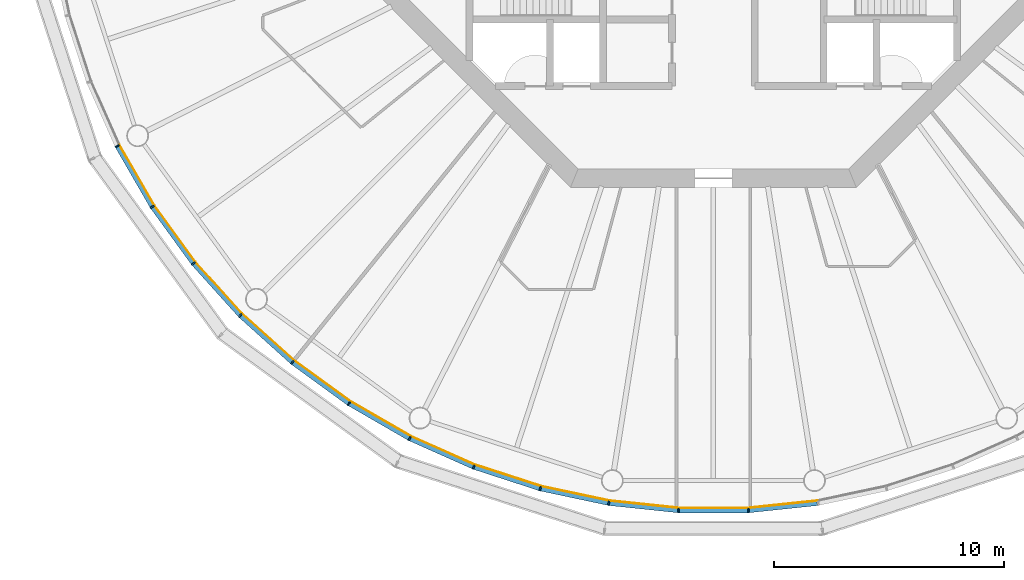
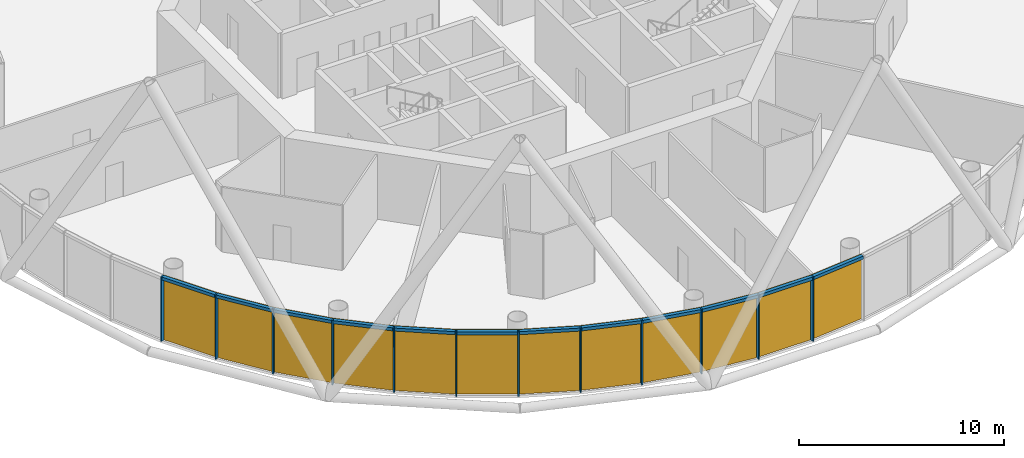
# One storey, part 7 of 13: 24 members, 4 curtain walls.
"""IFC4 building model written with IfcOpenShell, lengths in metres."""

from ifc_helpers import new_model, si_unit, direction, frame, origin, origin_2d, place, context, subcontext, project, spatial, polyline, rectangle, outline, extrude, material, layer, layer_set, material_profile, profile_set, type_object, element, aggregate, save


model = new_model("IFC4")

# Units and contexts
model_context = context("Model", 3, precision=1e-05, world=origin(), true_north=direction((0.0, 1.0)))
body_context = subcontext(model_context, "Body", "Model", "MODEL_VIEW")
ifc_project = project(units=[si_unit("LENGTHUNIT", "METRE"), si_unit("AREAUNIT", "SQUARE_METRE"), si_unit("VOLUMEUNIT", "CUBIC_METRE"), si_unit("PLANEANGLEUNIT", "RADIAN"), si_unit("MASSUNIT", "GRAM", prefix="KILO")], contexts=[model_context])

# Member
ifc_material_1 = material(Name="Anodised aluminium", Category="aluminium")
ifc_material_profile_1 = material_profile(ifc_material_1, rectangle(XDim=0.06494140625, YDim=0.195068359375, at=origin_2d()), Name="Mullion 65 x 195 mm anodised aluminium")
ifc_profile_set_1 = profile_set([ifc_material_profile_1], Name="Anodised aluminium")
member_type_1 = type_object("IfcMemberType", Name="Mullion 65 x 195 mm anodised aluminium", PredefinedType="MULLION", material=ifc_profile_set_1)
site_placement = place(None, origin())
building_placement = place(site_placement, origin())
storey_placement = place(building_placement, frame((0.0, 0.0, 294.0)))
member_1_placement = place(storey_placement, frame((64.073974609375, 66.7900390625, 0.0), z_axis=(0.0, 0.0, 1.0), x_axis=(0.45399049974, -0.891006524188, 0.0)))
member_1 = element("IfcMember", 1, at=member_1_placement, type_object=member_type_1, Name="MULLION L67-33", PredefinedType="MULLION", context=body_context, shape_type="SweptSolid", body=[
    extrude(rectangle(XDim=0.06494140625, YDim=0.195068359375, at=origin_2d()), origin(), (0.0, 0.0, 1.0), 3.85009765625),
])

member_2_placement = place(storey_placement, frame((65.5966796875, 64.15234375, 0.0), z_axis=(0.0, 0.0, 1.0), x_axis=(0.544639035015, -0.838670567945, 0.0)))
member_2 = element("IfcMember", 2, at=member_2_placement, type_object=member_type_1, Name="MULLION L67-34", PredefinedType="MULLION", context=body_context, shape_type="SweptSolid", body=[
    extrude(rectangle(XDim=0.06494140625, YDim=0.195068359375, at=origin_2d()), origin(), (0.0, 0.0, 1.0), 3.85009765625),
])

member_3_placement = place(storey_placement, frame((67.386962890625, 61.688232421875, 0.0), z_axis=(0.0, 0.0, 1.0), x_axis=(0.62932039105, -0.777145961457, 0.0)))
member_3 = element("IfcMember", 3, at=member_3_placement, type_object=member_type_1, Name="MULLION L67-35", PredefinedType="MULLION", context=body_context, shape_type="SweptSolid", body=[
    extrude(rectangle(XDim=0.06494140625, YDim=0.195068359375, at=origin_2d()), origin(), (0.0, 0.0, 1.0), 3.85009765625),
])

member_4_placement = place(storey_placement, frame((69.425048828125, 59.425048828125, 0.0), z_axis=(0.0, 0.0, 1.0), x_axis=(0.707106781187, -0.707106781187, 0.0)))
member_4 = element("IfcMember", 4, at=member_4_placement, type_object=member_type_1, Name="MULLION L67-36", PredefinedType="MULLION", context=body_context, shape_type="SweptSolid", body=[
    extrude(rectangle(XDim=0.06494140625, YDim=0.195068359375, at=origin_2d()), origin(), (0.0, 0.0, 1.0), 3.85009765625),
])

member_5_placement = place(storey_placement, frame((71.688232421875, 57.386962890625, 0.0), z_axis=(0.0, 0.0, 1.0), x_axis=(0.777145961457, -0.62932039105, 0.0)))
member_5 = element("IfcMember", 5, at=member_5_placement, type_object=member_type_1, Name="MULLION L67-37", PredefinedType="MULLION", context=body_context, shape_type="SweptSolid", body=[
    extrude(rectangle(XDim=0.06494140625, YDim=0.195068359375, at=origin_2d()), origin(), (0.0, 0.0, 1.0), 3.85009765625),
])

member_6_placement = place(storey_placement, frame((74.15234375, 55.5966796875, 0.0), z_axis=(0.0, 0.0, 1.0), x_axis=(0.838670567945, -0.544639035015, 0.0)))
member_6 = element("IfcMember", 6, at=member_6_placement, type_object=member_type_1, Name="MULLION L67-38", PredefinedType="MULLION", context=body_context, shape_type="SweptSolid", body=[
    extrude(rectangle(XDim=0.06494140625, YDim=0.195068359375, at=origin_2d()), origin(), (0.0, 0.0, 1.0), 3.85009765625),
])

member_7_placement = place(storey_placement, frame((76.7900390625, 54.073974609375, 0.0), z_axis=(0.0, 0.0, 1.0), x_axis=(0.891006524188, -0.45399049974, 0.0)))
member_7 = element("IfcMember", 7, at=member_7_placement, type_object=member_type_1, Name="MULLION L67-39", PredefinedType="MULLION", context=body_context, shape_type="SweptSolid", body=[
    extrude(rectangle(XDim=0.06494140625, YDim=0.195068359375, at=origin_2d()), origin(), (0.0, 0.0, 1.0), 3.85009765625),
])

member_8_placement = place(storey_placement, frame((79.572509765625, 52.835205078125, 0.0), z_axis=(0.0, 0.0, 1.0), x_axis=(0.933580426497, -0.358367949545, 0.0)))
member_8 = element("IfcMember", 8, at=member_8_placement, type_object=member_type_1, Name="MULLION L67-40", PredefinedType="MULLION", context=body_context, shape_type="SweptSolid", body=[
    extrude(rectangle(XDim=0.06494140625, YDim=0.195068359375, at=origin_2d()), origin(), (0.0, 0.0, 1.0), 3.85009765625),
])

member_9_placement = place(storey_placement, frame((82.468994140625, 51.89404296875, 0.0), z_axis=(0.0, 0.0, 1.0), x_axis=(0.965925826289, -0.258819045103, 0.0)))
member_9 = element("IfcMember", 9, at=member_9_placement, type_object=member_type_1, Name="MULLION L67-41", PredefinedType="MULLION", context=body_context, shape_type="SweptSolid", body=[
    extrude(rectangle(XDim=0.06494140625, YDim=0.195068359375, at=origin_2d()), origin(), (0.0, 0.0, 1.0), 3.85009765625),
])

member_10_placement = place(storey_placement, frame((85.4482421875, 51.2607421875, 0.0), z_axis=(0.0, 0.0, 1.0), x_axis=(0.987688340595, -0.15643446504, 0.0)))
member_10 = element("IfcMember", 10, at=member_10_placement, type_object=member_type_1, Name="MULLION L67-42", PredefinedType="MULLION", context=body_context, shape_type="SweptSolid", body=[
    extrude(rectangle(XDim=0.06494140625, YDim=0.195068359375, at=origin_2d()), origin(), (0.0, 0.0, 1.0), 3.85009765625),
])

member_11_placement = place(storey_placement, frame((88.47705078125, 50.9423828125, 0.0), z_axis=(0.0, 0.0, 1.0), x_axis=(0.998629534755, -0.052335956243, 0.0)))
member_11 = element("IfcMember", 11, at=member_11_placement, type_object=member_type_1, Name="MULLION L67-43", PredefinedType="MULLION", context=body_context, shape_type="SweptSolid", body=[
    extrude(rectangle(XDim=0.06494140625, YDim=0.195068359375, at=origin_2d()), origin(), (0.0, 0.0, 1.0), 3.85009765625),
])

member_12_placement = place(storey_placement, frame((91.52294921875, 50.9423828125, 0.0), z_axis=(0.0, 0.0, 1.0), x_axis=(0.998629534755, 0.052335956243, 0.0)))
member_12 = element("IfcMember", 12, at=member_12_placement, type_object=member_type_1, Name="MULLION L67-44", PredefinedType="MULLION", context=body_context, shape_type="SweptSolid", body=[
    extrude(rectangle(XDim=0.06494140625, YDim=0.195068359375, at=origin_2d()), origin(), (0.0, 0.0, 1.0), 3.85009765625),
])

ifc_material_2 = material(Name="Anodised aluminium", Category="aluminium")
ifc_material_profile_2 = material_profile(ifc_material_2, rectangle(XDim=0.195068359375, YDim=0.179931640625, at=origin_2d()), Name="Transom 180 x 195 mm anodised aluminium")
ifc_profile_set_2 = profile_set([ifc_material_profile_2], Name="Anodised aluminium")
member_type_2 = type_object("IfcMemberType", Name="Transom 180 x 195 mm anodised aluminium", PredefinedType="USERDEFINED", material=ifc_profile_set_2)
member_13_placement = place(storey_placement, frame((64.092529296875, 66.75732421875, 3.760009765625), z_axis=(0.500028367561, -0.866009025146, 0.0), x_axis=(0.866009025146, 0.500028367561, 0.0)))
member_13 = element("IfcMember", 13, at=member_13_placement, type_object=member_type_2, Name="TRANSOM L67-33", ObjectType="TRANSOM", PredefinedType="USERDEFINED", context=body_context, shape_type="SweptSolid", body=[
    extrude(rectangle(XDim=0.195068359375, YDim=0.179931640625, at=origin_2d()), origin(), (0.0, 0.0, 1.0), 2.970458984375),
])

member_14_placement = place(storey_placement, frame((65.618896484375, 64.121826171875, 3.760009765625), z_axis=(0.587765987476, -0.809030990733, 0.0), x_axis=(0.809030990733, 0.587765987476, 0.0)))
member_14 = element("IfcMember", 14, at=member_14_placement, type_object=member_type_2, Name="TRANSOM L67-34", ObjectType="TRANSOM", PredefinedType="USERDEFINED", context=body_context, shape_type="SweptSolid", body=[
    extrude(rectangle(XDim=0.195068359375, YDim=0.179931640625, at=origin_2d()), origin(), (0.0, 0.0, 1.0), 2.97021484375),
])

member_15_placement = place(storey_placement, frame((67.412109375, 61.660400390625, 3.760009765625), z_axis=(0.669110027395, -0.743163354343, 0.0), x_axis=(0.743163354343, 0.669110027395, 0.0)))
member_15 = element("IfcMember", 15, at=member_15_placement, type_object=member_type_2, Name="TRANSOM L67-35", ObjectType="TRANSOM", PredefinedType="USERDEFINED", context=body_context, shape_type="SweptSolid", body=[
    extrude(rectangle(XDim=0.195068359375, YDim=0.179931640625, at=origin_2d()), origin(), (0.0, 0.0, 1.0), 2.970458984375),
])

member_16_placement = place(storey_placement, frame((69.452880859375, 59.399658203125, 3.760009765625), z_axis=(0.743163354343, -0.669110027395, 0.0), x_axis=(0.669110027395, 0.743163354343, 0.0)))
member_16 = element("IfcMember", 16, at=member_16_placement, type_object=member_type_2, Name="TRANSOM L67-36", ObjectType="TRANSOM", PredefinedType="USERDEFINED", context=body_context, shape_type="SweptSolid", body=[
    extrude(rectangle(XDim=0.195068359375, YDim=0.179931640625, at=origin_2d()), origin(), (0.0, 0.0, 1.0), 2.970458984375),
])

member_17_placement = place(storey_placement, frame((71.71875, 57.36474609375, 3.760009765625), z_axis=(0.809030990733, -0.587765987476, 0.0), x_axis=(0.587765987476, 0.809030990733, 0.0)))
member_17 = element("IfcMember", 17, at=member_17_placement, type_object=member_type_2, Name="TRANSOM L67-37", ObjectType="TRANSOM", PredefinedType="USERDEFINED", context=body_context, shape_type="SweptSolid", body=[
    extrude(rectangle(XDim=0.195068359375, YDim=0.179931640625, at=origin_2d()), origin(), (0.0, 0.0, 1.0), 2.97021484375),
])

member_18_placement = place(storey_placement, frame((74.184814453125, 55.577880859375, 3.760009765625), z_axis=(0.866009025146, -0.500028367561, 0.0), x_axis=(0.500028367561, 0.866009025146, 0.0)))
member_18 = element("IfcMember", 18, at=member_18_placement, type_object=member_type_2, Name="TRANSOM L67-38", ObjectType="TRANSOM", PredefinedType="USERDEFINED", context=body_context, shape_type="SweptSolid", body=[
    extrude(rectangle(XDim=0.195068359375, YDim=0.179931640625, at=origin_2d()), origin(), (0.0, 0.0, 1.0), 2.970458984375),
])

member_19_placement = place(storey_placement, frame((76.82421875, 54.05859375, 3.760009765625), z_axis=(0.913550406593, -0.406725527369, 0.0), x_axis=(0.406725527369, 0.913550406593, 0.0)))
member_19 = element("IfcMember", 19, at=member_19_placement, type_object=member_type_2, Name="TRANSOM L67-39", ObjectType="TRANSOM", PredefinedType="USERDEFINED", context=body_context, shape_type="SweptSolid", body=[
    extrude(rectangle(XDim=0.195068359375, YDim=0.179931640625, at=origin_2d()), origin(), (0.0, 0.0, 1.0), 2.970703125),
])

member_20_placement = place(storey_placement, frame((79.608154296875, 52.823486328125, 3.760009765625), z_axis=(0.951047960094, -0.309043326415, 0.0), x_axis=(0.309043326415, 0.951047960094, 0.0)))
member_20 = element("IfcMember", 20, at=member_20_placement, type_object=member_type_2, Name="TRANSOM L67-40", ObjectType="TRANSOM", PredefinedType="USERDEFINED", context=body_context, shape_type="SweptSolid", body=[
    extrude(rectangle(XDim=0.195068359375, YDim=0.179931640625, at=origin_2d()), origin(), (0.0, 0.0, 1.0), 2.970458984375),
])

member_21_placement = place(storey_placement, frame((82.505859375, 51.885986328125, 3.760009765625), z_axis=(0.978141510112, -0.207940342877, 0.0), x_axis=(0.207940342877, 0.978141510112, 0.0)))
member_21 = element("IfcMember", 21, at=member_21_placement, type_object=member_type_2, Name="TRANSOM L67-41", ObjectType="TRANSOM", PredefinedType="USERDEFINED", context=body_context, shape_type="SweptSolid", body=[
    extrude(rectangle(XDim=0.195068359375, YDim=0.179931640625, at=origin_2d()), origin(), (0.0, 0.0, 1.0), 2.970458984375),
])

member_22_placement = place(storey_placement, frame((85.485595703125, 51.256591796875, 3.760009765625), z_axis=(0.994528397827, -0.104466577987, 0.0), x_axis=(0.104466577987, 0.994528397827, 0.0)))
member_22 = element("IfcMember", 22, at=member_22_placement, type_object=member_type_2, Name="TRANSOM L67-42", ObjectType="TRANSOM", PredefinedType="USERDEFINED", context=body_context, shape_type="SweptSolid", body=[
    extrude(rectangle(XDim=0.195068359375, YDim=0.179931640625, at=origin_2d()), origin(), (0.0, 0.0, 1.0), 2.970458984375),
])

member_23_placement = place(storey_placement, frame((88.5146484375, 50.942138671875, 3.760009765625), z_axis=(1.0, 0.0, 0.0), x_axis=(0.0, 1.0, 0.0)))
member_23 = element("IfcMember", 23, at=member_23_placement, type_object=member_type_2, Name="TRANSOM L67-43", ObjectType="TRANSOM", PredefinedType="USERDEFINED", context=body_context, shape_type="SweptSolid", body=[
    extrude(rectangle(XDim=0.195068359375, YDim=0.179931640625, at=origin_2d()), origin(), (0.0, 0.0, 1.0), 2.970703125),
])

member_24_placement = place(storey_placement, frame((91.560302734375, 50.9462890625, 3.760009765625), z_axis=(0.994528397827, 0.104466577987, 0.0), x_axis=(-0.104466577987, 0.994528397827, 0.0)))
member_24 = element("IfcMember", 24, at=member_24_placement, type_object=member_type_2, Name="TRANSOM L67-44", ObjectType="TRANSOM", PredefinedType="USERDEFINED", context=body_context, shape_type="SweptSolid", body=[
    extrude(rectangle(XDim=0.195068359375, YDim=0.179931640625, at=origin_2d()), origin(), (0.0, 0.0, 1.0), 2.970458984375),
])

# Site, building, storey
site = spatial("IfcSite", under=ifc_project, at=site_placement, CompositionType="ELEMENT")
building = spatial("IfcBuilding", under=site, at=building_placement, Name="Entoto Ring Tower", CompositionType="ELEMENT")
storey = spatial("IfcBuildingStorey", under=building, at=storey_placement, Name="L67", CompositionType="ELEMENT", Elevation=294.0)

# Curtain wall
ifc_material_3 = material(Name="Clear low-iron glass", Category="glass")
ifc_layer = layer(ifc_material_3, 0.033935546875)
ifc_layer_set = layer_set([ifc_layer], Name="Clear low-iron glass")
curtain_wall_type = type_object("IfcCurtainWallType", Name="Curtain wall system CW5 glazing 34 mm", PredefinedType="NOTDEFINED", material=ifc_layer_set)
curtain_wall_1_placement = place(storey_placement, origin())
curtain_wall_1 = element("IfcCurtainWall", 25, at=curtain_wall_1_placement, inside=storey, type_object=curtain_wall_type, Name="CW5 L67-12", PredefinedType="NOTDEFINED", context=body_context, shape_type="SweptSolid", body=[
    extrude(outline(polyline([(64.160888671875, 66.834228515625), (65.678466796875, 64.20556640625), (67.462646484375, 61.749755859375), (69.493896484375, 59.493896484375), (69.51806640625, 59.51806640625), (67.4892578125, 61.771240234375), (65.70703125, 64.22412109375), (64.191162109375, 66.849853515625), (64.160888671875, 66.834228515625)])), origin(), (0.0, 0.0, 1.0), 3.85009765625),
])

aggregate(curtain_wall_1, [member_1, member_2, member_3, member_13, member_14, member_15])

curtain_wall_2_placement = place(storey_placement, origin())
curtain_wall_2 = element("IfcCurtainWall", 26, at=curtain_wall_2_placement, inside=storey, type_object=curtain_wall_type, Name="CW5 L67-13", PredefinedType="NOTDEFINED", context=body_context, shape_type="SweptSolid", body=[
    extrude(outline(polyline([(69.493896484375, 59.493896484375), (71.749755859375, 57.462646484375), (74.20556640625, 55.678466796875), (76.834228515625, 54.160888671875), (76.849853515625, 54.191162109375), (74.22412109375, 55.70703125), (71.771240234375, 57.4892578125), (69.51806640625, 59.51806640625), (69.493896484375, 59.493896484375)])), origin(), (0.0, 0.0, 1.0), 3.85009765625),
])

aggregate(curtain_wall_2, [member_4, member_5, member_6, member_16, member_17, member_18])

curtain_wall_3_placement = place(storey_placement, origin())
curtain_wall_3 = element("IfcCurtainWall", 27, at=curtain_wall_3_placement, inside=storey, type_object=curtain_wall_type, Name="CW5 L67-14", PredefinedType="NOTDEFINED", context=body_context, shape_type="SweptSolid", body=[
    extrude(outline(polyline([(76.834228515625, 54.160888671875), (79.607421875, 52.92626953125), (82.494140625, 51.988037109375), (85.46337890625, 51.35693359375), (85.46875, 51.390625), (82.503173828125, 52.02099609375), (79.61962890625, 52.9580078125), (76.849853515625, 54.191162109375), (76.834228515625, 54.160888671875)])), origin(), (0.0, 0.0, 1.0), 3.85009765625),
])

aggregate(curtain_wall_3, [member_7, member_8, member_9, member_19, member_20, member_21])

curtain_wall_4_placement = place(storey_placement, origin())
curtain_wall_4 = element("IfcCurtainWall", 28, at=curtain_wall_4_placement, inside=storey, type_object=curtain_wall_type, Name="CW5 L67-15", PredefinedType="NOTDEFINED", context=body_context, shape_type="SweptSolid", body=[
    extrude(outline(polyline([(85.46337890625, 51.35693359375), (88.482177734375, 51.039794921875), (91.517822265625, 51.039794921875), (94.53662109375, 51.35693359375), (94.53125, 51.390625), (91.515869140625, 51.07373046875), (88.484130859375, 51.07373046875), (85.46875, 51.390625), (85.46337890625, 51.35693359375)])), origin(), (0.0, 0.0, 1.0), 3.85009765625),
])

aggregate(curtain_wall_4, [member_10, member_11, member_12, member_22, member_23, member_24])

save(model, "model.ifc")
